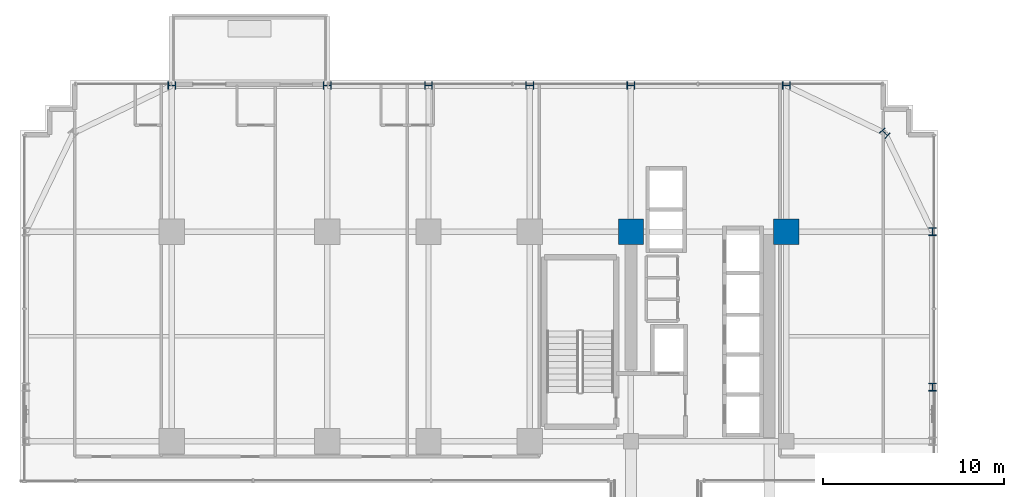
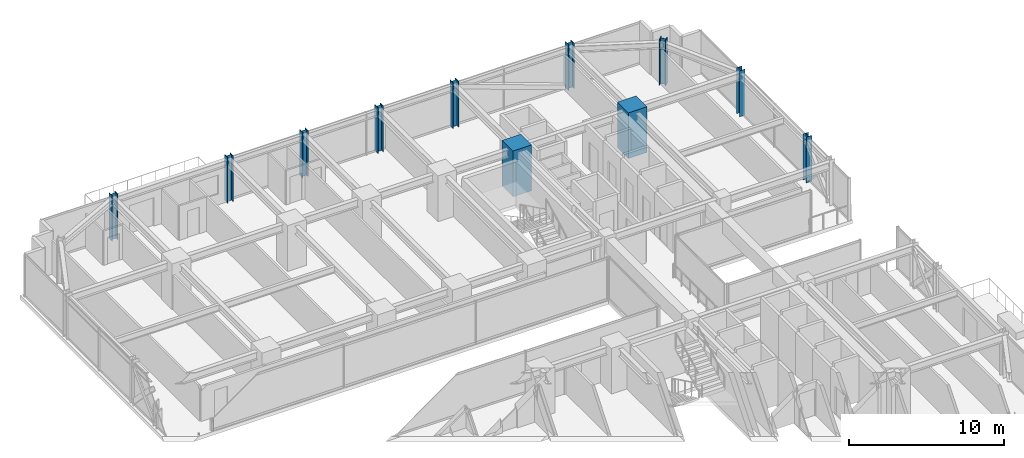
# One storey, part 2 of 41: 11 columns.
"""IFC4 building model written with IfcOpenShell, lengths in metres."""

import ifcopenshell
import ifcopenshell.guid

model = None  # the IFC model being written
_history = None  # IfcOwnerHistory: only IFC2X3 demands one
_inside = {}  # id of a spatial element -> (the spatial element, [elements in it])
_under = {}  # id of a project, library or spatial element -> (it, [spatial elements below it])
_declared = {}  # id of a project -> (the project, [libraries it declares])
_typed = {}  # id of a type object -> (the type object, [elements of that type])
_made_of = {}  # id of a material, layer set ... -> (it, [elements and type objects made of it])


def new_model(schema):
    """Start an empty IFC model of exactly this schema.

    Asked for "IFC4X3", IfcOpenShell would pick the latest addendum, in which some entities
    have other attributes; the version numbers below select the first issue.
    IFC2X3 requires an IfcOwnerHistory on every rooted entity: one is made here for all.
    """
    global model, _history
    if schema == "IFC4X3":
        model = ifcopenshell.file(schema_version=(4, 3, 0, 0))
    else:
        model = ifcopenshell.file(schema=schema)
    _inside.clear()
    _under.clear()
    _declared.clear()
    _typed.clear()
    _made_of.clear()
    _history = None
    if model.schema == "IFC2X3":
        org = make("IfcOrganization", Name="unknown")
        user = make(
            "IfcPersonAndOrganization",
            ThePerson=make("IfcPerson", FamilyName="unknown"),
            TheOrganization=org,
        )
        app = make(
            "IfcApplication",
            ApplicationDeveloper=org,
            Version="unknown",
            ApplicationFullName="unknown",
            ApplicationIdentifier="unknown",
        )
        _history = make(
            "IfcOwnerHistory",
            OwningUser=user,
            OwningApplication=app,
            ChangeAction="ADDED",
            CreationDate=0,
        )
    return model


def make(cls, **values):
    """One entity of the class cls with the attributes given. An attribute that is None is left unset."""
    return model.create_entity(
        cls, **{name: value for name, value in values.items() if value is not None}
    )


def rooted(cls, **values):
    """An entity with a GlobalId (a new one), such as an element, a storey or a relation."""
    return make(cls, GlobalId=ifcopenshell.guid.new(), OwnerHistory=_history, **values)


def si_unit(unit_type, name, prefix=None):
    """IfcSIUnit, for example si_unit("LENGTHUNIT", "METRE", prefix="MILLI")."""
    return make("IfcSIUnit", UnitType=unit_type, Prefix=prefix, Name=name)


def assignment(units):
    """IfcUnitAssignment: the units of a project."""
    return None if units is None else make("IfcUnitAssignment", Units=units)


def point(xyz):
    """IfcCartesianPoint."""
    return None if xyz is None else make("IfcCartesianPoint", Coordinates=xyz)


def direction(xyz):
    """IfcDirection."""
    return None if xyz is None else make("IfcDirection", DirectionRatios=xyz)


def frame(location, z_axis=None, x_axis=None):
    """IfcAxis2Placement3D, a coordinate frame: its origin and axes. An axis left out is left unset."""
    return make(
        "IfcAxis2Placement3D",
        Location=point(location),
        Axis=direction(z_axis),
        RefDirection=direction(x_axis),
    )


def frame_2d(location, x_axis=None):
    """IfcAxis2Placement2D, a coordinate frame in the plane: its origin and x axis."""
    return make(
        "IfcAxis2Placement2D", Location=point(location), RefDirection=direction(x_axis)
    )


def origin():
    """The frame at (0, 0, 0) with its axes left unset."""
    return frame((0.0, 0.0, 0.0))


def origin_2d():
    """The frame at (0, 0) in the plane with its x axis left unset."""
    return frame_2d((0.0, 0.0))


def place(relative_to, where):
    """IfcLocalPlacement: puts the frame where relative to a parent placement (None: the world)."""
    return make(
        "IfcLocalPlacement", PlacementRelTo=relative_to, RelativePlacement=where
    )


def context(
    kind, dimensions, precision=None, world=None, true_north=None, identifier=None
):
    """IfcGeometricRepresentationContext, for example the 3D "Model" context."""
    return make(
        "IfcGeometricRepresentationContext",
        ContextIdentifier=identifier,
        ContextType=kind,
        CoordinateSpaceDimension=dimensions,
        Precision=precision,
        WorldCoordinateSystem=world,
        TrueNorth=true_north,
    )


def subcontext(parent, identifier, kind, view, scale=None):
    """IfcGeometricRepresentationSubContext, for example "Body" below "Model"."""
    return make(
        "IfcGeometricRepresentationSubContext",
        ContextIdentifier=identifier,
        ContextType=kind,
        ParentContext=parent,
        TargetScale=scale,
        TargetView=view,
    )


def project(units=None, contexts=None):
    """IfcProject with its units and contexts."""
    return rooted(
        "IfcProject",
        Name="project",
        RepresentationContexts=contexts,
        UnitsInContext=assignment(units),
    )


def spatial(cls, under=None, at=None, **own):
    """A site, building, storey or space (cls), placed at a placement, below another one or the project."""
    s = rooted(cls, ObjectPlacement=at, **own)
    if under is not None:
        _under.setdefault(under.id(), (under, []))[1].append(s)
    return s


def profile(cls, at=None, kind="AREA", **sizes):
    """A parametric profile (cls). Its sizes go by their IFC names, for example OverallWidth=200.0."""
    return make(cls, ProfileType=kind, Position=at, **sizes)


def rectangle(**sizes):
    """IfcRectangleProfileDef."""
    return profile("IfcRectangleProfileDef", **sizes)


def i_section(**sizes):
    """IfcIShapeProfileDef."""
    return profile("IfcIShapeProfileDef", **sizes)


def extrude(swept, where, along, depth):
    """IfcExtrudedAreaSolid: the profile swept, set in the frame where, extruded along a direction by depth."""
    return make(
        "IfcExtrudedAreaSolid",
        SweptArea=swept,
        Position=where,
        ExtrudedDirection=direction(along),
        Depth=depth,
    )


def shape(context_of_items, identifier, shape_type, items):
    """IfcShapeRepresentation: the items that make up one representation, for example the "Body"."""
    return make(
        "IfcShapeRepresentation",
        ContextOfItems=context_of_items,
        RepresentationIdentifier=identifier,
        RepresentationType=shape_type,
        Items=items,
    )


def source(mapping_origin, context_of_items, identifier, shape_type, items):
    """IfcRepresentationMap: a shape defined once, which mapped items show again and again."""
    return make(
        "IfcRepresentationMap",
        MappingOrigin=mapping_origin,
        MappedRepresentation=shape(context_of_items, identifier, shape_type, items),
    )


def transform(
    local_origin,
    x_axis=None,
    y_axis=None,
    z_axis=None,
    scale=None,
    scale2=None,
    scale3=None,
    uniform=True,
):
    """IfcCartesianTransformationOperator3D, or its non-uniform kind. x_axis, y_axis, z_axis: its Axis1, 2, 3."""
    if uniform:
        return make(
            "IfcCartesianTransformationOperator3D",
            Axis1=direction(x_axis),
            Axis2=direction(y_axis),
            LocalOrigin=point(local_origin),
            Scale=scale,
            Axis3=direction(z_axis),
        )
    return make(
        "IfcCartesianTransformationOperator3DnonUniform",
        Axis1=direction(x_axis),
        Axis2=direction(y_axis),
        LocalOrigin=point(local_origin),
        Scale=scale,
        Axis3=direction(z_axis),
        Scale2=scale2,
        Scale3=scale3,
    )


def mapped(mapping_source, mapping_target):
    """IfcMappedItem: shows the shape of a source again, moved by a transform."""
    return make(
        "IfcMappedItem", MappingSource=mapping_source, MappingTarget=mapping_target
    )


def material(Name=None, Category=None):
    """IfcMaterial."""
    return make("IfcMaterial", Name=Name, Category=Category)


def material_profile(
    of_material, cross_section, Name=None, Category=None, Priority=None
):
    """IfcMaterialProfile: a cross section and its material."""
    return make(
        "IfcMaterialProfile",
        Name=Name,
        Material=of_material,
        Profile=cross_section,
        Priority=Priority,
        Category=Category,
    )


def profile_set(profiles, Name=None, composite=None):
    """IfcMaterialProfileSet."""
    return make(
        "IfcMaterialProfileSet",
        Name=Name,
        MaterialProfiles=profiles,
        CompositeProfile=composite,
    )


def made_of(thing, what):
    """Note that an element or type object is made of a material, layer set ...; save() writes the relation."""
    if what is not None:
        _made_of.setdefault(what.id(), (what, []))[1].append(thing)
    return thing


def type_object(cls, material=None, **own):
    """A type object (cls), such as IfcWallType, which elements share."""
    return made_of(rooted(cls, **own), material)


def element(
    cls,
    number,
    at=None,
    inside=None,
    cuts=None,
    type_object=None,
    material=None,
    context=None,
    identifier="Body",
    shape_type=None,
    held_by="IfcProductDefinitionShape",
    body=None,
    shapes=None,
    **own,
):
    """One element of the class cls, such as IfcWall. Its Tag is "e" and its number.

    at: its placement. inside: the storey or other place that contains it. cuts: it is an
    opening in that element (IfcRelVoidsElement). A single representation is given by context,
    identifier, shape_type and body (its items); several are given by shapes. held_by: the class
    of the entity that holds the representations. save() writes the other relations.
    """
    e = rooted(cls, Tag="e%d" % number, ObjectPlacement=at, **own)
    if body is not None:
        shapes = [shape(context, identifier, shape_type, body)]
    if shapes is not None:
        e.Representation = make(held_by, Representations=shapes)
    if inside is not None:
        _inside.setdefault(inside.id(), (inside, []))[1].append(e)
    if cuts is not None:
        rooted(
            "IfcRelVoidsElement", RelatingBuildingElement=cuts, RelatedOpeningElement=e
        )
    if type_object is not None:
        _typed.setdefault(type_object.id(), (type_object, []))[1].append(e)
    return made_of(e, material)


def aggregate(whole, parts):
    """IfcRelAggregates: a whole, such as a stair, and the parts it consists of."""
    return rooted("IfcRelAggregates", RelatingObject=whole, RelatedObjects=parts)


def save(model, path):
    """Write the relations noted so far, then the file.

    IfcRelAggregates (storeys below a building ...), IfcRelContainedInSpatialStructure (elements
    in a storey), IfcRelDefinesByType, IfcRelAssociatesMaterial and IfcRelDeclares: one each for
    every whole, place, type object, material and project.
    """
    for whole, parts in _under.values():
        aggregate(whole, parts)
    for where, things in _inside.values():
        rooted(
            "IfcRelContainedInSpatialStructure",
            RelatedElements=things,
            RelatingStructure=where,
        )
    for kind, things in _typed.values():
        rooted("IfcRelDefinesByType", RelatedObjects=things, RelatingType=kind)
    for what, things in _made_of.values():
        rooted("IfcRelAssociatesMaterial", RelatedObjects=things, RelatingMaterial=what)
    for by, libraries in _declared.values():
        rooted("IfcRelDeclares", RelatingContext=by, RelatedDefinitions=libraries)
    model.write(path)


model = new_model("IFC4")

# Units and contexts
model_context = context("Model", 3, precision=1e-05, world=origin(), true_north=direction((0.0, 1.0)))
body_context = subcontext(model_context, "Body", "Model", "MODEL_VIEW")
ifc_project = project(units=[si_unit("LENGTHUNIT", "METRE"), si_unit("AREAUNIT", "SQUARE_METRE"), si_unit("VOLUMEUNIT", "CUBIC_METRE"), si_unit("PLANEANGLEUNIT", "RADIAN"), si_unit("MASSUNIT", "GRAM", prefix="KILO")], contexts=[model_context])

# Site, building, storey
site_placement = place(None, origin())
site = spatial("IfcSite", under=ifc_project, at=site_placement, CompositionType="ELEMENT")
building_placement = place(site_placement, origin())
building = spatial("IfcBuilding", under=site, at=building_placement, Name="Nahalor Promenade Grand Hotel", CompositionType="ELEMENT")
storey_placement = place(building_placement, frame((0.0, 0.0, 54.300048828125)))
storey = spatial("IfcBuildingStorey", under=building, at=storey_placement, Name="L12", CompositionType="ELEMENT", Elevation=54.300048828125)

# Columns
ifc_material_1 = material(Name="Concrete B-70 (C60/75)", Category="concrete")
ifc_material_profile_1 = material_profile(ifc_material_1, rectangle(XDim=1.4, YDim=1.4, at=origin_2d()), Name="RC 1400x1400")
ifc_profile_set_1 = profile_set([ifc_material_profile_1], Name="Concrete B-70 (C60/75)")
column_type_1 = type_object("IfcColumnType", Name="Col-RC-1400", PredefinedType="COLUMN", material=ifc_profile_set_1)
shared_shape_1 = source(origin(), body_context, "Body", "SweptSolid", [
    extrude(rectangle(XDim=1.4, YDim=1.4, at=origin_2d()), origin(), (0.0, 0.0, 1.0), 3.60498046875),
])
for number, where, z_axis, x_axis, name in (
    (1, (8.39990234375, 17.0, 0.0), (0.0, 0.0, 1.0), (1.0, 0.0, 0.0), "COL-L12-I43"),
    (2, (17.0, 17.0, 0.0), (0.0, 0.0, 1.0), (1.0, 0.0, 0.0), "COL-L12-I53"),
):
    element("IfcColumn", number, at=place(storey_placement, frame(where, z_axis=z_axis, x_axis=x_axis)), inside=storey, type_object=column_type_1, Name=name, PredefinedType="COLUMN", context=body_context, shape_type="MappedRepresentation", body=[
        mapped(shared_shape_1, transform((0.0, 0.0, 0.0), scale=1.0)),
    ])
ifc_material_2 = material(Name="Steel S355J2", Category="steel")
ifc_material_profile_2 = material_profile(ifc_material_2, i_section(OverallWidth=0.412, OverallDepth=0.438, WebThickness=0.0226, FlangeThickness=0.0365, at=origin_2d()), Name="HD 400x463")
ifc_profile_set_2 = profile_set([ifc_material_profile_2], Name="Steel S355J2")
column_type_2 = type_object("IfcColumnType", Name="Col-Steel-HD463", PredefinedType="COLUMN", material=ifc_profile_set_2)
shared_shape_2 = source(origin(), body_context, "Body", "SweptSolid", [
    extrude(i_section(OverallWidth=0.412, OverallDepth=0.438, WebThickness=0.0226, FlangeThickness=0.0365, at=origin_2d()), origin(), (0.0, 0.0, 1.0), 3.60498046875),
])
for number, where, z_axis, x_axis, name in (
    (3, (25.080078125, 8.39990234375, 0.0), (0.0, 0.0, 1.0), (1.0, 0.0, 0.0), "COL-L12-PW-E4"),
    (4, (25.080078125, 17.0, 0.0), (0.0, 0.0, 1.0), (1.0, 0.0, 0.0), "COL-L12-PW-E5"),
    (5, (-17.0, 25.080078125, 0.0), (0.0, 0.0, 1.0), (0.0, 1.0, 0.0), "COL-L12-PN-N0"),
    (6, (-8.39990234375, 25.080078125, 0.0), (0.0, 0.0, 1.0), (0.0, 1.0, 0.0), "COL-L12-PN-N1"),
    (7, (-2.800048828125, 25.080078125, 0.0), (0.0, 0.0, 1.0), (0.0, 1.0, 0.0), "COL-L12-PN-N2"),
    (8, (2.800048828125, 25.080078125, 0.0), (0.0, 0.0, 1.0), (0.0, 1.0, 0.0), "COL-L12-PN-N3"),
    (9, (8.39990234375, 25.080078125, 0.0), (0.0, 0.0, 1.0), (0.0, 1.0, 0.0), "COL-L12-PN-N4"),
    (10, (17.0, 25.080078125, 0.0), (0.0, 0.0, 1.0), (0.0, 1.0, 0.0), "COL-L12-PN-N5"),
    (11, (22.449951171875, 22.449951171875, 0.0), (0.0, 0.0, 1.0), (0.707106781187, 0.707106781187, 0.0), "COL-L12-CRN-NE"),
):
    element("IfcColumn", number, at=place(storey_placement, frame(where, z_axis=z_axis, x_axis=x_axis)), inside=storey, type_object=column_type_2, Name=name, PredefinedType="COLUMN", context=body_context, shape_type="MappedRepresentation", body=[
        mapped(shared_shape_2, transform((0.0, 0.0, 0.0), scale=1.0)),
    ])

save(model, "model.ifc")
